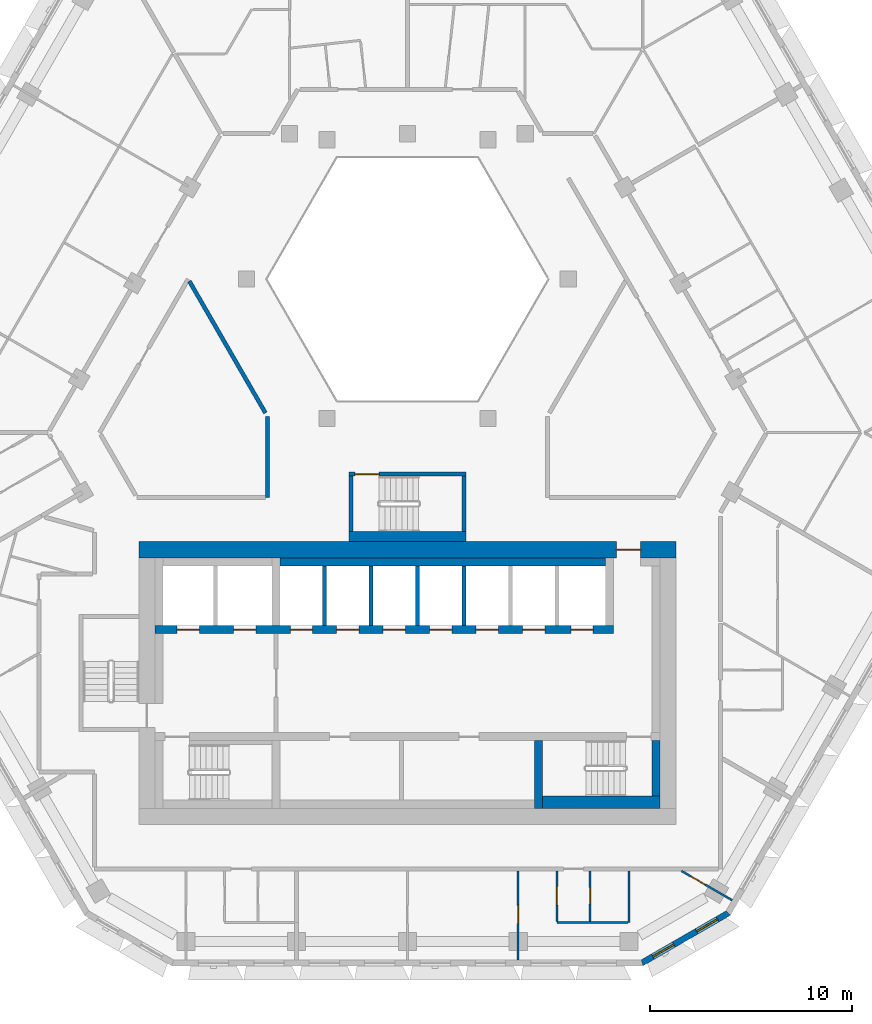
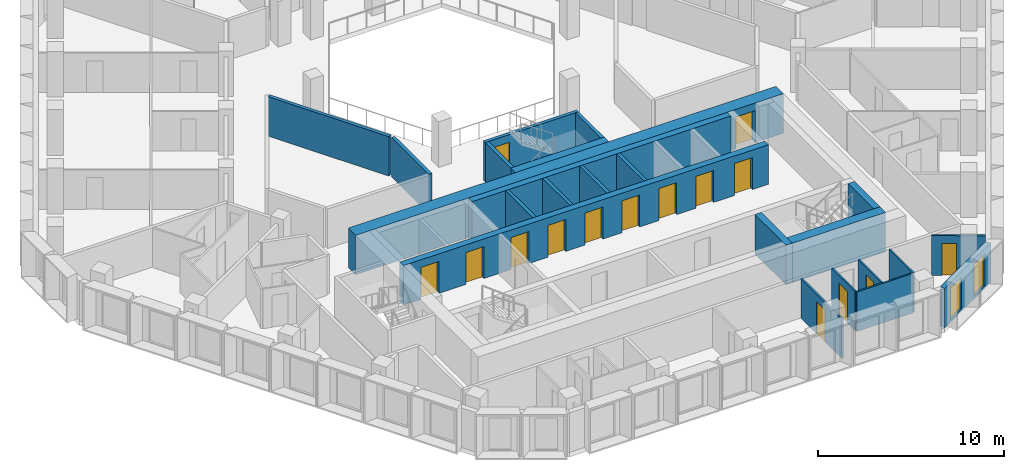
# One storey, part 5 of 17: 23 walls, 15 doors, 2 windows, 17 openings.
"""IFC4 building model written with IfcOpenShell, lengths in metres."""

from ifc_helpers import new_model, si_unit, direction, frame, frame_2d, origin, place, context, subcontext, project, spatial, polyline, rectangle, outline, extrude, material, layer, layer_set, type_object, element, fill, save


model = new_model("IFC4")

# Units and contexts
model_context = context("Model", 3, precision=1e-05, world=origin(), true_north=direction((0.0, 1.0)))
body_context = subcontext(model_context, "Body", "Model", "MODEL_VIEW")
ifc_project = project(units=[si_unit("LENGTHUNIT", "METRE"), si_unit("AREAUNIT", "SQUARE_METRE"), si_unit("VOLUMEUNIT", "CUBIC_METRE"), si_unit("PLANEANGLEUNIT", "RADIAN"), si_unit("MASSUNIT", "GRAM", prefix="KILO")], contexts=[model_context])

# Site, building, storey
site_placement = place(None, origin())
site = spatial("IfcSite", under=ifc_project, at=site_placement, CompositionType="ELEMENT")
building_placement = place(site_placement, origin())
building = spatial("IfcBuilding", under=site, at=building_placement, Name="Beryl Residences", CompositionType="ELEMENT")
storey_placement = place(building_placement, frame((0.0, 0.0, 150.60009765625)))
storey = spatial("IfcBuildingStorey", under=building, at=storey_placement, Name="L46", CompositionType="ELEMENT", Elevation=150.60009765625)

# Wall, openings, windows
ifc_material_1 = material(Name="Composite metal panel with mineral wool insulation")
ifc_layer_1 = layer(ifc_material_1, 0.300048828125)
ifc_layer_set_1 = layer_set([ifc_layer_1], Name="ES1 pale metal composite panel wall 300 mm")
wall_type_1 = type_object("IfcWallType", Name="ES1 pale metal composite panel wall 300 mm", PredefinedType="SOLIDWALL", material=ifc_layer_set_1)
wall_1_placement = place(storey_placement, frame((11.5869140625, -25.8701171875, 0.0), z_axis=(0.0, 0.0, 1.0), x_axis=(0.866022959057, 0.500004234368, 0.0)))
wall_1 = element("IfcWall", 1, at=wall_1_placement, inside=storey, type_object=wall_type_1, Name="ES1 external wall L46 S-SE", PredefinedType="SOLIDWALL", context=body_context, shape_type="SweptSolid", body=[
    extrude(outline(polyline([(0.0, -0.14990234375), (5.0, -0.14990234375), (4.919677734375, 0.14990234375), (0.080322265625, 0.14990234375), (0.0, -0.14990234375)])), origin(), (0.0, 0.0, 1.0), 2.599853515625),
])
opening_1_placement = place(wall_1_placement, frame((0.64990234375, 0.0, 0.14990234375)))
opening_1 = element("IfcOpeningElement", 2, at=opening_1_placement, cuts=wall_1, Name="Opening W2", PredefinedType="OPENING", context=body_context, shape_type="SweptSolid", body=[
    extrude(rectangle(XDim=1.199951171875, YDim=2.10009765625, at=frame_2d((0.60009765625, 1.050048828125))), frame((0.0, 0.159912109375, 0.0), z_axis=(0.0, -1.0, 0.0), x_axis=(1.0, 0.0, 0.0)), (0.0, 0.0, 1.0), 0.320068359375),
])
opening_2_placement = place(wall_1_placement, frame((3.14892578125, 0.0, 0.14990234375)))
opening_2 = element("IfcOpeningElement", 3, at=opening_2_placement, cuts=wall_1, Name="Opening W2", PredefinedType="OPENING", context=body_context, shape_type="SweptSolid", body=[
    extrude(rectangle(XDim=1.199951171875, YDim=2.10009765625, at=frame_2d((0.60009765625, 1.050048828125))), frame((0.0, 0.159912109375, 0.0), z_axis=(0.0, -1.0, 0.0), x_axis=(1.0, 0.0, 0.0)), (0.0, 0.0, 1.0), 0.320068359375),
])
ifc_material_2 = material(Name="Aluminium and clear glass", Category="aluminium")
window_type = type_object("IfcWindowType", Name="W2 chamfer window 1200 x 2100 mm", PartitioningType="SINGLE_PANEL", PredefinedType="WINDOW", material=ifc_material_2)
window_1_placement = place(opening_1_placement, origin())
window_1 = element("IfcWindow", 4, at=window_1_placement, inside=storey, type_object=window_type, Name="W2 window L46 S-SE 1", OverallHeight=2.10009765625, OverallWidth=1.199951171875, PartitioningType="SINGLE_PANEL", PredefinedType="WINDOW", context=body_context, shape_type="SweptSolid", body=[
    extrude(rectangle(XDim=1.199951171875, YDim=2.10009765625, at=frame_2d((0.60009765625, 1.050048828125))), frame((0.0, 0.030029296875, 0.0), z_axis=(0.0, -1.0, 0.0), x_axis=(1.0, 0.0, 0.0)), (0.0, 0.0, 1.0), 0.06005859375),
])
fill(opening_1, window_1)
window_2_placement = place(opening_2_placement, origin())
window_2 = element("IfcWindow", 5, at=window_2_placement, inside=storey, type_object=window_type, Name="W2 window L46 S-SE 2", OverallHeight=2.10009765625, OverallWidth=1.199951171875, PartitioningType="SINGLE_PANEL", PredefinedType="WINDOW", context=body_context, shape_type="SweptSolid", body=[
    extrude(rectangle(XDim=1.199951171875, YDim=2.10009765625, at=frame_2d((0.60009765625, 1.050048828125))), frame((0.0, 0.030029296875, 0.0), z_axis=(0.0, -1.0, 0.0), x_axis=(1.0, 0.0, 0.0)), (0.0, 0.0, 1.0), 0.06005859375),
])
fill(opening_2, window_2)

# Wall, opening, door
ifc_material_3 = material(Name="Gypsum board partition on steel studs", Category="steel")
ifc_layer_2 = layer(ifc_material_3, 0.10009765625)
ifc_layer_set_2 = layer_set([ifc_layer_2], Name="PT1 partition 100 mm gypsum board on steel studs")
wall_type_2 = type_object("IfcWallType", Name="PT1 partition 100 mm gypsum board on steel studs", PredefinedType="PARTITIONING", material=ifc_layer_set_2)
wall_2_placement = place(storey_placement, frame((7.406005859375, -21.300048828125, 0.0), z_axis=(0.0, 0.0, 1.0), x_axis=(0.0, -1.0, 0.0)))
wall_2 = element("IfcWall", 6, at=wall_2_placement, inside=storey, type_object=wall_type_2, Name="Wall PT1 L46 009", PredefinedType="PARTITIONING", context=body_context, shape_type="SweptSolid", body=[
    extrude(rectangle(XDim=2.509033203125, YDim=0.10009765625, at=frame_2d((1.25439453125, 0.0))), origin(), (0.0, 0.0, 1.0), 2.599853515625),
])
opening_3_placement = place(wall_2_placement, frame((0.780029296875, 0.0, 0.0)))
opening_3 = element("IfcOpeningElement", 7, at=opening_3_placement, cuts=wall_2, Name="Opening D1110", PredefinedType="OPENING", context=body_context, shape_type="SweptSolid", body=[
    extrude(rectangle(XDim=0.89990234375, YDim=2.10009765625, at=frame_2d((0.449951171875, 1.050048828125))), frame((0.0, 0.06005859375, 0.0), z_axis=(0.0, -1.0, 0.0), x_axis=(1.0, 0.0, 0.0)), (0.0, 0.0, 1.0), 0.1201171875),
])
ifc_material_4 = material(Name="Timber door leaf", Category="wood")
door_type_1 = type_object("IfcDoorType", Name="D2 room door 900 x 2100 mm", OperationType="SINGLE_SWING_LEFT", PredefinedType="DOOR", material=ifc_material_4)
door_1_placement = place(opening_3_placement, origin())
door_1 = element("IfcDoor", 8, at=door_1_placement, inside=storey, type_object=door_type_1, Name="Door D1110 L46 001", OperationType="SINGLE_SWING_RIGHT", OverallHeight=2.10009765625, OverallWidth=0.89990234375, PredefinedType="DOOR", context=body_context, shape_type="SweptSolid", body=[
    extrude(rectangle(XDim=0.89990234375, YDim=2.10009765625, at=frame_2d((0.449951171875, 1.050048828125))), frame((0.0, 0.02490234375, 0.0), z_axis=(0.0, -1.0, 0.0), x_axis=(1.0, 0.0, 0.0)), (0.0, 0.0, 1.0), 0.050048828125),
])
fill(opening_3, door_1)

wall_3_placement = place(storey_placement, frame((13.568115234375, -21.300048828125, 0.0), z_axis=(0.0, 0.0, 1.0), x_axis=(0.865885342641, -0.500242514586, 0.0)))
wall_3 = element("IfcWall", 9, at=wall_3_placement, inside=storey, type_object=wall_type_2, Name="Wall PT1 L46 014", PredefinedType="PARTITIONING", context=body_context, shape_type="SweptSolid", body=[
    extrude(rectangle(XDim=2.8984375, YDim=0.10009765625, at=frame_2d((1.44921875, 0.0))), origin(), (0.0, 0.0, 1.0), 2.599853515625),
])
opening_4_placement = place(wall_3_placement, frame((0.550048828125, 0.0, 0.0)))
opening_4 = element("IfcOpeningElement", 10, at=opening_4_placement, cuts=wall_3, Name="Opening D1113", PredefinedType="OPENING", context=body_context, shape_type="SweptSolid", body=[
    extrude(rectangle(XDim=0.800048828125, YDim=2.10009765625, at=frame_2d((0.39990234375, 1.050048828125))), frame((0.0, 0.06005859375, 0.0), z_axis=(0.0, -1.0, 0.0), x_axis=(1.0, 0.0, 0.0)), (0.0, 0.0, 1.0), 0.1201171875),
])
ifc_material_5 = material(Name="Timber door leaf", Category="wood")
door_type_2 = type_object("IfcDoorType", Name="D13 room door 800 x 2100 mm", OperationType="SINGLE_SWING_LEFT", PredefinedType="DOOR", material=ifc_material_5)
door_2_placement = place(opening_4_placement, origin())
door_2 = element("IfcDoor", 11, at=door_2_placement, inside=storey, type_object=door_type_2, Name="Door D1113 L46 001", OperationType="SINGLE_SWING_LEFT", OverallHeight=2.10009765625, OverallWidth=0.800048828125, PredefinedType="DOOR", context=body_context, shape_type="SweptSolid", body=[
    extrude(rectangle(XDim=0.800048828125, YDim=2.10009765625, at=frame_2d((0.39990234375, 1.050048828125))), frame((0.0, 0.02490234375, 0.0), z_axis=(0.0, -1.0, 0.0), x_axis=(1.0, 0.0, 0.0)), (0.0, 0.0, 1.0), 0.050048828125),
])
fill(opening_4, door_2)

# Wall
wall_4_placement = place(storey_placement, frame((7.406982421875, -23.860107421875, 0.0), z_axis=(0.0, 0.0, 1.0), x_axis=(1.0, 0.0, 0.0)))
element("IfcWall", 12, at=wall_4_placement, inside=storey, type_object=wall_type_2, Name="Wall PT1 L46 022", PredefinedType="PARTITIONING", context=body_context, shape_type="SweptSolid", body=[
    extrude(rectangle(XDim=3.512939453125, YDim=0.10009765625, at=frame_2d((1.75634765625, 0.0))), origin(), (0.0, 0.0, 1.0), 2.599853515625),
])

# Wall, opening, door
wall_5_placement = place(storey_placement, frame((5.486083984375, -25.699951171875, 0.0), z_axis=(0.0, 0.0, 1.0), x_axis=(0.0, 1.0, 0.0)))
wall_5 = element("IfcWall", 13, at=wall_5_placement, inside=storey, type_object=wall_type_2, Name="Wall PT1 L46 038", PredefinedType="PARTITIONING", context=body_context, shape_type="SweptSolid", body=[
    extrude(rectangle(XDim=4.39990234375, YDim=0.10009765625, at=frame_2d((2.199951171875, 0.0))), origin(), (0.0, 0.0, 1.0), 2.599853515625),
])
opening_5_placement = place(wall_5_placement, frame((1.800048828125, 0.0, 0.0)))
opening_5 = element("IfcOpeningElement", 14, at=opening_5_placement, cuts=wall_5, Name="Opening D1112", PredefinedType="OPENING", context=body_context, shape_type="SweptSolid", body=[
    extrude(rectangle(XDim=0.89990234375, YDim=2.10009765625, at=frame_2d((0.449951171875, 1.050048828125))), frame((0.0, 0.06005859375, 0.0), z_axis=(0.0, -1.0, 0.0), x_axis=(1.0, 0.0, 0.0)), (0.0, 0.0, 1.0), 0.1201171875),
])
door_3_placement = place(opening_5_placement, origin())
door_3 = element("IfcDoor", 15, at=door_3_placement, inside=storey, type_object=door_type_1, Name="Door D1112 L46 001", OperationType="SINGLE_SWING_RIGHT", OverallHeight=2.10009765625, OverallWidth=0.89990234375, PredefinedType="DOOR", context=body_context, shape_type="SweptSolid", body=[
    extrude(rectangle(XDim=0.89990234375, YDim=2.10009765625, at=frame_2d((0.449951171875, 1.050048828125))), frame((0.0, 0.02490234375, 0.0), z_axis=(0.0, -1.0, 0.0), x_axis=(1.0, 0.0, 0.0)), (0.0, 0.0, 1.0), 0.050048828125),
])
fill(opening_5, door_3)

wall_6_placement = place(storey_placement, frame((9.051025390625, -23.81005859375, 0.0), z_axis=(0.0, 0.0, 1.0), x_axis=(0.0, 1.0, 0.0)))
wall_6 = element("IfcWall", 16, at=wall_6_placement, inside=storey, type_object=wall_type_2, Name="Wall PT1 L46 040", PredefinedType="PARTITIONING", context=body_context, shape_type="SweptSolid", body=[
    extrude(rectangle(XDim=2.510009765625, YDim=0.10009765625, at=frame_2d((1.2548828125, 0.0))), origin(), (0.0, 0.0, 1.0), 2.599853515625),
])
opening_6_placement = place(wall_6_placement, frame((0.8798828125, 0.0, 0.0)))
opening_6 = element("IfcOpeningElement", 17, at=opening_6_placement, cuts=wall_6, Name="Opening D1111", PredefinedType="OPENING", context=body_context, shape_type="SweptSolid", body=[
    extrude(rectangle(XDim=0.800048828125, YDim=2.10009765625, at=frame_2d((0.39990234375, 1.050048828125))), frame((0.0, 0.06005859375, 0.0), z_axis=(0.0, -1.0, 0.0), x_axis=(1.0, 0.0, 0.0)), (0.0, 0.0, 1.0), 0.1201171875),
])
ifc_material_6 = material(Name="Timber door leaf", Category="wood")
door_type_3 = type_object("IfcDoorType", Name="D3 bathroom door 800 x 2100 mm", OperationType="SINGLE_SWING_LEFT", PredefinedType="DOOR", material=ifc_material_6)
door_4_placement = place(opening_6_placement, origin())
door_4 = element("IfcDoor", 18, at=door_4_placement, inside=storey, type_object=door_type_3, Name="Door D1111 L46 001", OperationType="SINGLE_SWING_LEFT", OverallHeight=2.10009765625, OverallWidth=0.800048828125, PredefinedType="DOOR", context=body_context, shape_type="SweptSolid", body=[
    extrude(rectangle(XDim=0.800048828125, YDim=2.10009765625, at=frame_2d((0.39990234375, 1.050048828125))), frame((0.0, 0.02490234375, 0.0), z_axis=(0.0, -1.0, 0.0), x_axis=(1.0, 0.0, 0.0)), (0.0, 0.0, 1.0), 0.050048828125),
])
fill(opening_6, door_4)

# Walls
wall_7_placement = place(storey_placement, frame((10.970947265625, -23.85888671875, 0.0), z_axis=(0.0, 0.0, 1.0), x_axis=(0.0, 1.0, 0.0)))
element("IfcWall", 19, at=wall_7_placement, inside=storey, type_object=wall_type_2, Name="Wall PT1 L46 041", PredefinedType="PARTITIONING", context=body_context, shape_type="SweptSolid", body=[
    extrude(rectangle(XDim=2.558837890625, YDim=0.10009765625, at=frame_2d((1.279296875, 0.0))), origin(), (0.0, 0.0, 1.0), 2.599853515625),
])
ifc_material_7 = material(Name="Double stud gypsum board wall")
ifc_layer_3 = layer(ifc_material_7, 0.199951171875)
ifc_layer_set_3 = layer_set([ifc_layer_3], Name="PT4 corridor wall 200 mm double stud")
wall_type_3 = type_object("IfcWallType", Name="PT4 corridor wall 200 mm double stud", PredefinedType="PARTITIONING", material=ifc_layer_set_3)
wall_8_placement = place(storey_placement, frame((-10.7958984375, 7.89990234375, 0.0), z_axis=(0.0, 0.0, 1.0), x_axis=(0.499954271211, -0.866051803703, 0.0)))
element("IfcWall", 20, at=wall_8_placement, inside=storey, type_object=wall_type_3, Name="Wall PT4 L46 001", PredefinedType="PARTITIONING", context=body_context, shape_type="SweptSolid", body=[
    extrude(rectangle(XDim=7.536376953125, YDim=0.199951171875, at=frame_2d((3.76806640625, 0.0))), origin(), (0.0, 0.0, 1.0), 2.599853515625),
])
wall_9_placement = place(storey_placement, frame((-6.927978515625, -2.800048828125, 0.0), z_axis=(0.0, 0.0, 1.0), x_axis=(0.0, 1.0, 0.0)))
element("IfcWall", 21, at=wall_9_placement, inside=storey, type_object=wall_type_3, Name="Wall PT4 L46 026", PredefinedType="PARTITIONING", context=body_context, shape_type="SweptSolid", body=[
    extrude(rectangle(XDim=4.0, YDim=0.199951171875, at=frame_2d((2.0, 0.0))), origin(), (0.0, 0.0, 1.0), 2.599853515625),
])

# Wall, opening, door
ifc_material_8 = material(Name="Concrete C40/50", Category="concrete")
ifc_layer_4 = layer(ifc_material_8, 0.199951171875)
ifc_layer_set_4 = layer_set([ifc_layer_4], Name="PT5 stair enclosure wall 200 mm reinforced concrete C40/50")
wall_type_4 = type_object("IfcWallType", Name="PT5 stair enclosure wall 200 mm reinforced concrete C40/50", PredefinedType="SOLIDWALL", material=ifc_layer_set_4)
wall_10_placement = place(storey_placement, frame((-2.89990234375, -1.64990234375, 0.0), z_axis=(0.0, 0.0, 1.0), x_axis=(1.0, 0.0, 0.0)))
wall_10 = element("IfcWall", 22, at=wall_10_placement, inside=storey, type_object=wall_type_4, Name="Wall PT5 L46 001", PredefinedType="SOLIDWALL", context=body_context, shape_type="SweptSolid", body=[
    extrude(rectangle(XDim=5.7998046875, YDim=0.199951171875, at=frame_2d((2.89990234375, 0.0))), origin(), (0.0, 0.0, 1.0), 2.599853515625),
])
opening_7_placement = place(wall_10_placement, frame((0.300048828125, 0.0, 0.0)))
opening_7 = element("IfcOpeningElement", 23, at=opening_7_placement, cuts=wall_10, Name="Opening DS04", PredefinedType="OPENING", context=body_context, shape_type="SweptSolid", body=[
    extrude(rectangle(XDim=1.199951171875, YDim=2.10009765625, at=frame_2d((0.60009765625, 1.050048828125))), frame((0.0, 0.10986328125, 0.0), z_axis=(0.0, -1.0, 0.0), x_axis=(1.0, 0.0, 0.0)), (0.0, 0.0, 1.0), 0.219970703125),
])
ifc_material_9 = material(Name="Steel door leaf in steel frame", Category="steel")
door_type_4 = type_object("IfcDoorType", Name="D4 stair door 1200 x 2100 mm", OperationType="SINGLE_SWING_LEFT", PredefinedType="DOOR", material=ifc_material_9)
door_5_placement = place(opening_7_placement, origin())
door_5 = element("IfcDoor", 24, at=door_5_placement, inside=storey, type_object=door_type_4, Name="Door DS04 L46 001", OperationType="SINGLE_SWING_LEFT", OverallHeight=2.10009765625, OverallWidth=1.199951171875, PredefinedType="DOOR", context=body_context, shape_type="SweptSolid", body=[
    extrude(rectangle(XDim=1.199951171875, YDim=2.10009765625, at=frame_2d((0.60009765625, 1.050048828125))), frame((0.0, 0.02490234375, 0.0), z_axis=(0.0, -1.0, 0.0), x_axis=(1.0, 0.0, 0.0)), (0.0, 0.0, 1.0), 0.050048828125),
])
fill(opening_7, door_5)

# Walls
for number, where, z_axis, x_axis, name in (
    (25, (-2.800048828125, -4.5, 0.0), (0.0, 0.0, 1.0), (0.0, 1.0, 0.0), "Wall PT5 L46 002"),
    (26, (2.800048828125, -4.5, 0.0), (0.0, 0.0, 1.0), (0.0, 1.0, 0.0), "Wall PT5 L46 003"),
):
    element("IfcWall", number, at=place(storey_placement, frame(where, z_axis=z_axis, x_axis=x_axis)), inside=storey, type_object=wall_type_4, Name=name, PredefinedType="SOLIDWALL", context=body_context, shape_type="SweptSolid", body=[
        extrude(rectangle(XDim=2.75, YDim=0.199951171875, at=frame_2d((1.375, 0.0))), origin(), (0.0, 0.0, 1.0), 2.599853515625),
    ])
ifc_material_10 = material(Name="Concrete C40/50", Category="concrete")
ifc_layer_5 = layer(ifc_material_10, 0.39990234375)
ifc_layer_set_5 = layer_set([ifc_layer_5], Name="PT5-400 stair enclosure wall 400 mm")
wall_type_5 = type_object("IfcWallType", Name="PT5-400 stair enclosure wall 400 mm", PredefinedType="SOLIDWALL", material=ifc_layer_set_5)
wall_11_placement = place(storey_placement, frame((12.300048828125, -17.60009765625, 0.0), z_axis=(0.0, 0.0, 1.0), x_axis=(0.0, 1.0, 0.0)))
element("IfcWall", 27, at=wall_11_placement, inside=storey, type_object=wall_type_5, Name="Stair wall 23", PredefinedType="SOLIDWALL", context=body_context, shape_type="SweptSolid", body=[
    extrude(rectangle(XDim=2.75, YDim=0.39990234375, at=frame_2d((1.375, 0.0))), origin(), (0.0, 0.0, 1.0), 2.599853515625),
])
ifc_material_11 = material(Name="Concrete C40/50", Category="concrete")
ifc_layer_6 = layer(ifc_material_11, 0.5)
ifc_layer_set_6 = layer_set([ifc_layer_6], Name="PT5-500 stair enclosure wall 500 mm")
wall_type_6 = type_object("IfcWallType", Name="PT5-500 stair enclosure wall 500 mm", PredefinedType="SOLIDWALL", material=ifc_layer_set_6)
wall_12_placement = place(storey_placement, frame((-2.89990234375, -4.75, 0.0), z_axis=(0.0, 0.0, 1.0), x_axis=(1.0, 0.0, 0.0)))
element("IfcWall", 28, at=wall_12_placement, inside=storey, type_object=wall_type_6, Name="Wall PT5-500 L46 001", PredefinedType="SOLIDWALL", context=body_context, shape_type="SweptSolid", body=[
    extrude(rectangle(XDim=5.7998046875, YDim=0.5, at=frame_2d((2.89990234375, 0.0))), origin(), (0.0, 0.0, 1.0), 2.599853515625),
])
ifc_material_12 = material(Name="Concrete C40/50", Category="concrete")
ifc_layer_7 = layer(ifc_material_12, 0.60009765625)
ifc_layer_set_7 = layer_set([ifc_layer_7], Name="PT5-600 stair enclosure wall 600 mm")
wall_type_7 = type_object("IfcWallType", Name="PT5-600 stair enclosure wall 600 mm", PredefinedType="SOLIDWALL", material=ifc_layer_set_7)
wall_13_placement = place(storey_placement, frame((6.699951171875, -17.89990234375, 0.0), z_axis=(0.0, 0.0, 1.0), x_axis=(1.0, 0.0, 0.0)))
element("IfcWall", 29, at=wall_13_placement, inside=storey, type_object=wall_type_7, Name="Stair wall 20", PredefinedType="SOLIDWALL", context=body_context, shape_type="SweptSolid", body=[
    extrude(rectangle(XDim=5.800048828125, YDim=0.60009765625, at=frame_2d((2.89990234375, 0.0))), origin(), (0.0, 0.0, 1.0), 2.599853515625),
])
ifc_material_13 = material(Name="Concrete C40/50", Category="concrete")
ifc_layer_8 = layer(ifc_material_13, 0.199951171875)
ifc_layer_set_8 = layer_set([ifc_layer_8], Name="PT6 lift shaft wall 200 mm reinforced concrete C40/50")
wall_type_8 = type_object("IfcWallType", Name="PT6 lift shaft wall 200 mm reinforced concrete C40/50", PredefinedType="SOLIDWALL", material=ifc_layer_set_8)
for number, where, z_axis, x_axis, name in (
    (30, (-4.10009765625, -9.14990234375, 0.0), (0.0, 0.0, 1.0), (0.0, 1.0, 0.0), "Lift shaft wall 14"),
    (31, (-1.800048828125, -9.14990234375, 0.0), (0.0, 0.0, 1.0), (0.0, 1.0, 0.0), "Lift shaft wall 15"),
    (32, (0.5, -9.14990234375, 0.0), (0.0, 0.0, 1.0), (0.0, 1.0, 0.0), "Lift shaft wall 17"),
    (33, (2.800048828125, -9.14990234375, 0.0), (0.0, 0.0, 1.0), (0.0, 1.0, 0.0), "Lift shaft wall 18"),
):
    element("IfcWall", number, at=place(storey_placement, frame(where, z_axis=z_axis, x_axis=x_axis)), inside=storey, type_object=wall_type_8, Name=name, PredefinedType="SOLIDWALL", context=body_context, shape_type="SweptSolid", body=[
        extrude(rectangle(XDim=2.949951171875, YDim=0.199951171875, at=frame_2d((1.47509765625, 0.0))), origin(), (0.0, 0.0, 1.0), 2.599853515625),
    ])
ifc_material_14 = material(Name="Concrete C40/50", Category="concrete")
ifc_layer_9 = layer(ifc_material_14, 0.39990234375)
ifc_layer_set_9 = layer_set([ifc_layer_9], Name="PT6-400 lift shaft wall 400 mm")
wall_type_9 = type_object("IfcWallType", Name="PT6-400 lift shaft wall 400 mm", PredefinedType="SOLIDWALL", material=ifc_layer_set_9)
wall_14_placement = place(storey_placement, frame((-6.300048828125, -6.0, 0.0), z_axis=(0.0, 0.0, 1.0), x_axis=(1.0, 0.0, 0.0)))
element("IfcWall", 34, at=wall_14_placement, inside=storey, type_object=wall_type_9, Name="Lift shaft wall 13", PredefinedType="SOLIDWALL", context=body_context, shape_type="SweptSolid", body=[
    extrude(rectangle(XDim=16.10009765625, YDim=0.39990234375, at=frame_2d((8.050048828125, 0.0))), origin(), (0.0, 0.0, 1.0), 2.599853515625),
])

# Wall, opening, door
ifc_material_15 = material(Name="Concrete C60/75", Category="concrete")
ifc_layer_10 = layer(ifc_material_15, 0.800048828125)
ifc_layer_set_10 = layer_set([ifc_layer_10], Name="SW3 core outer wall 800 mm C60/75")
wall_type_10 = type_object("IfcWallType", Name="SW3 core outer wall 800 mm C60/75", PredefinedType="SHEAR", material=ifc_layer_set_10)
wall_15_placement = place(storey_placement, frame((-13.300048828125, -5.39990234375, 0.0), z_axis=(0.0, 0.0, 1.0), x_axis=(1.0, 0.0, 0.0)))
wall_15 = element("IfcWall", 35, at=wall_15_placement, inside=storey, type_object=wall_type_10, Name="Core wall N L46", PredefinedType="SHEAR", context=body_context, shape_type="SweptSolid", body=[
    extrude(rectangle(XDim=26.60009765625, YDim=0.800048828125, at=frame_2d((13.300048828125, 0.0))), origin(), (0.0, 0.0, 1.0), 2.599853515625),
])
opening_8_placement = place(wall_15_placement, frame((23.64990234375, 0.0, 0.0)))
opening_8 = element("IfcOpeningElement", 36, at=opening_8_placement, cuts=wall_15, Name="Opening FD-NORTH", PredefinedType="OPENING", context=body_context, shape_type="SweptSolid", body=[
    extrude(rectangle(XDim=1.199951171875, YDim=2.10009765625, at=frame_2d((0.60009765625, 1.050048828125))), frame((0.0, 0.409912109375, 0.0), z_axis=(0.0, -1.0, 0.0), x_axis=(1.0, 0.0, 0.0)), (0.0, 0.0, 1.0), 0.820068359375),
])
ifc_material_16 = material(Name="Steel door leaf in steel frame", Category="steel")
door_type_5 = type_object("IfcDoorType", Name="D22 lobby door 1200 x 2100 mm", OperationType="DOUBLE_DOOR_SINGLE_SWING", PredefinedType="DOOR", material=ifc_material_16)
door_6_placement = place(opening_8_placement, origin())
door_6 = element("IfcDoor", 37, at=door_6_placement, inside=storey, type_object=door_type_5, Name="Door FD-NORTH L46 001", OperationType="DOUBLE_DOOR_SINGLE_SWING", OverallHeight=2.10009765625, OverallWidth=1.199951171875, PredefinedType="DOOR", context=body_context, shape_type="SweptSolid", body=[
    extrude(rectangle(XDim=1.199951171875, YDim=2.10009765625, at=frame_2d((0.60009765625, 1.050048828125))), frame((0.0, 0.02490234375, 0.0), z_axis=(0.0, -1.0, 0.0), x_axis=(1.0, 0.0, 0.0)), (0.0, 0.0, 1.0), 0.050048828125),
])
fill(opening_8, door_6)

# Wall, openings, doors
ifc_material_17 = material(Name="Concrete C60/75", Category="concrete")
ifc_layer_11 = layer(ifc_material_17, 0.39990234375)
ifc_layer_set_11 = layer_set([ifc_layer_11], Name="SW8 core internal wall 400 mm C60/75")
wall_type_11 = type_object("IfcWallType", Name="SW8 core internal wall 400 mm C60/75", PredefinedType="SHEAR", material=ifc_layer_set_11)
wall_16_placement = place(storey_placement, frame((-12.5, -9.35009765625, 0.0), z_axis=(0.0, 0.0, 1.0), x_axis=(1.0, 0.0, 0.0)))
wall_16 = element("IfcWall", 38, at=wall_16_placement, inside=storey, type_object=wall_type_11, Name="Core wall SP2 L46", PredefinedType="SHEAR", context=body_context, shape_type="SweptSolid", body=[
    extrude(rectangle(XDim=22.699951171875, YDim=0.39990234375, at=frame_2d((11.35009765625, 0.0))), origin(), (0.0, 0.0, 1.0), 2.599853515625),
])
opening_9_placement = place(wall_16_placement, frame((1.10009765625, 0.0, 0.0)))
opening_9 = element("IfcOpeningElement", 39, at=opening_9_placement, cuts=wall_16, Name="Opening LD-FF1", PredefinedType="OPENING", context=body_context, shape_type="SweptSolid", body=[
    extrude(rectangle(XDim=1.10009765625, YDim=2.10009765625, at=frame_2d((0.550048828125, 1.050048828125))), frame((0.0, 0.2099609375, 0.0), z_axis=(0.0, -1.0, 0.0), x_axis=(1.0, 0.0, 0.0)), (0.0, 0.0, 1.0), 0.419921875),
])
opening_10_placement = place(wall_16_placement, frame((3.89990234375, 0.0, 0.0)))
opening_10 = element("IfcOpeningElement", 40, at=opening_10_placement, cuts=wall_16, Name="Opening LD-FF2", PredefinedType="OPENING", context=body_context, shape_type="SweptSolid", body=[
    extrude(rectangle(XDim=1.10009765625, YDim=2.10009765625, at=frame_2d((0.550048828125, 1.050048828125))), frame((0.0, 0.2099609375, 0.0), z_axis=(0.0, -1.0, 0.0), x_axis=(1.0, 0.0, 0.0)), (0.0, 0.0, 1.0), 0.419921875),
])
opening_11_placement = place(wall_16_placement, frame((6.699951171875, 0.0, 0.0)))
opening_11 = element("IfcOpeningElement", 41, at=opening_11_placement, cuts=wall_16, Name="Opening LD-HR1", PredefinedType="OPENING", context=body_context, shape_type="SweptSolid", body=[
    extrude(rectangle(XDim=1.10009765625, YDim=2.10009765625, at=frame_2d((0.550048828125, 1.050048828125))), frame((0.0, 0.2099609375, 0.0), z_axis=(0.0, -1.0, 0.0), x_axis=(1.0, 0.0, 0.0)), (0.0, 0.0, 1.0), 0.419921875),
])
opening_12_placement = place(wall_16_placement, frame((9.0, 0.0, 0.0)))
opening_12 = element("IfcOpeningElement", 42, at=opening_12_placement, cuts=wall_16, Name="Opening LD-HR2", PredefinedType="OPENING", context=body_context, shape_type="SweptSolid", body=[
    extrude(rectangle(XDim=1.10009765625, YDim=2.10009765625, at=frame_2d((0.550048828125, 1.050048828125))), frame((0.0, 0.2099609375, 0.0), z_axis=(0.0, -1.0, 0.0), x_axis=(1.0, 0.0, 0.0)), (0.0, 0.0, 1.0), 0.419921875),
])
opening_13_placement = place(wall_16_placement, frame((11.300048828125, 0.0, 0.0)))
opening_13 = element("IfcOpeningElement", 43, at=opening_13_placement, cuts=wall_16, Name="Opening LD-HR3", PredefinedType="OPENING", context=body_context, shape_type="SweptSolid", body=[
    extrude(rectangle(XDim=1.10009765625, YDim=2.10009765625, at=frame_2d((0.550048828125, 1.050048828125))), frame((0.0, 0.2099609375, 0.0), z_axis=(0.0, -1.0, 0.0), x_axis=(1.0, 0.0, 0.0)), (0.0, 0.0, 1.0), 0.419921875),
])
opening_14_placement = place(wall_16_placement, frame((13.60009765625, 0.0, 0.0)))
opening_14 = element("IfcOpeningElement", 44, at=opening_14_placement, cuts=wall_16, Name="Opening LD-HR4", PredefinedType="OPENING", context=body_context, shape_type="SweptSolid", body=[
    extrude(rectangle(XDim=1.10009765625, YDim=2.10009765625, at=frame_2d((0.550048828125, 1.050048828125))), frame((0.0, 0.2099609375, 0.0), z_axis=(0.0, -1.0, 0.0), x_axis=(1.0, 0.0, 0.0)), (0.0, 0.0, 1.0), 0.419921875),
])
opening_15_placement = place(wall_16_placement, frame((15.89990234375, 0.0, 0.0)))
opening_15 = element("IfcOpeningElement", 45, at=opening_15_placement, cuts=wall_16, Name="Opening LD-HR5", PredefinedType="OPENING", context=body_context, shape_type="SweptSolid", body=[
    extrude(rectangle(XDim=1.10009765625, YDim=2.10009765625, at=frame_2d((0.550048828125, 1.050048828125))), frame((0.0, 0.2099609375, 0.0), z_axis=(0.0, -1.0, 0.0), x_axis=(1.0, 0.0, 0.0)), (0.0, 0.0, 1.0), 0.419921875),
])
opening_16_placement = place(wall_16_placement, frame((18.199951171875, 0.0, 0.0)))
opening_16 = element("IfcOpeningElement", 46, at=opening_16_placement, cuts=wall_16, Name="Opening LD-HR6", PredefinedType="OPENING", context=body_context, shape_type="SweptSolid", body=[
    extrude(rectangle(XDim=1.10009765625, YDim=2.10009765625, at=frame_2d((0.550048828125, 1.050048828125))), frame((0.0, 0.2099609375, 0.0), z_axis=(0.0, -1.0, 0.0), x_axis=(1.0, 0.0, 0.0)), (0.0, 0.0, 1.0), 0.419921875),
])
opening_17_placement = place(wall_16_placement, frame((20.60009765625, 0.0, 0.0)))
opening_17 = element("IfcOpeningElement", 47, at=opening_17_placement, cuts=wall_16, Name="Opening LD-SL1", PredefinedType="OPENING", context=body_context, shape_type="SweptSolid", body=[
    extrude(rectangle(XDim=1.10009765625, YDim=2.10009765625, at=frame_2d((0.550048828125, 1.050048828125))), frame((0.0, 0.2099609375, 0.0), z_axis=(0.0, -1.0, 0.0), x_axis=(1.0, 0.0, 0.0)), (0.0, 0.0, 1.0), 0.419921875),
])
ifc_material_18 = material(Name="Stainless steel sliding door", Category="steel")
door_type_6 = type_object("IfcDoorType", Name="LD1 lift landing door 1100 x 2100 mm", OperationType="DOUBLE_DOOR_SLIDING", PredefinedType="DOOR", material=ifc_material_18)
door_7_placement = place(opening_9_placement, origin())
door_7 = element("IfcDoor", 48, at=door_7_placement, inside=storey, type_object=door_type_6, Name="Lift landing door FF1", OperationType="DOUBLE_DOOR_SLIDING", OverallHeight=2.10009765625, OverallWidth=1.10009765625, PredefinedType="DOOR", context=body_context, shape_type="SweptSolid", body=[
    extrude(rectangle(XDim=1.10009765625, YDim=2.10009765625, at=frame_2d((0.550048828125, 1.050048828125))), frame((0.0, 0.02490234375, 0.0), z_axis=(0.0, -1.0, 0.0), x_axis=(1.0, 0.0, 0.0)), (0.0, 0.0, 1.0), 0.050048828125),
])
fill(opening_9, door_7)
door_8_placement = place(opening_10_placement, origin())
door_8 = element("IfcDoor", 49, at=door_8_placement, inside=storey, type_object=door_type_6, Name="Lift landing door FF2", OperationType="DOUBLE_DOOR_SLIDING", OverallHeight=2.10009765625, OverallWidth=1.10009765625, PredefinedType="DOOR", context=body_context, shape_type="SweptSolid", body=[
    extrude(rectangle(XDim=1.10009765625, YDim=2.10009765625, at=frame_2d((0.550048828125, 1.050048828125))), frame((0.0, 0.02490234375, 0.0), z_axis=(0.0, -1.0, 0.0), x_axis=(1.0, 0.0, 0.0)), (0.0, 0.0, 1.0), 0.050048828125),
])
fill(opening_10, door_8)
door_9_placement = place(opening_11_placement, origin())
door_9 = element("IfcDoor", 50, at=door_9_placement, inside=storey, type_object=door_type_6, Name="Lift landing door HR1", OperationType="DOUBLE_DOOR_SLIDING", OverallHeight=2.10009765625, OverallWidth=1.10009765625, PredefinedType="DOOR", context=body_context, shape_type="SweptSolid", body=[
    extrude(rectangle(XDim=1.10009765625, YDim=2.10009765625, at=frame_2d((0.550048828125, 1.050048828125))), frame((0.0, 0.02490234375, 0.0), z_axis=(0.0, -1.0, 0.0), x_axis=(1.0, 0.0, 0.0)), (0.0, 0.0, 1.0), 0.050048828125),
])
fill(opening_11, door_9)
door_10_placement = place(opening_12_placement, origin())
door_10 = element("IfcDoor", 51, at=door_10_placement, inside=storey, type_object=door_type_6, Name="Lift landing door HR2", OperationType="DOUBLE_DOOR_SLIDING", OverallHeight=2.10009765625, OverallWidth=1.10009765625, PredefinedType="DOOR", context=body_context, shape_type="SweptSolid", body=[
    extrude(rectangle(XDim=1.10009765625, YDim=2.10009765625, at=frame_2d((0.550048828125, 1.050048828125))), frame((0.0, 0.02490234375, 0.0), z_axis=(0.0, -1.0, 0.0), x_axis=(1.0, 0.0, 0.0)), (0.0, 0.0, 1.0), 0.050048828125),
])
fill(opening_12, door_10)
door_11_placement = place(opening_13_placement, origin())
door_11 = element("IfcDoor", 52, at=door_11_placement, inside=storey, type_object=door_type_6, Name="Lift landing door HR3", OperationType="DOUBLE_DOOR_SLIDING", OverallHeight=2.10009765625, OverallWidth=1.10009765625, PredefinedType="DOOR", context=body_context, shape_type="SweptSolid", body=[
    extrude(rectangle(XDim=1.10009765625, YDim=2.10009765625, at=frame_2d((0.550048828125, 1.050048828125))), frame((0.0, 0.02490234375, 0.0), z_axis=(0.0, -1.0, 0.0), x_axis=(1.0, 0.0, 0.0)), (0.0, 0.0, 1.0), 0.050048828125),
])
fill(opening_13, door_11)
door_12_placement = place(opening_14_placement, origin())
door_12 = element("IfcDoor", 53, at=door_12_placement, inside=storey, type_object=door_type_6, Name="Lift landing door HR4", OperationType="DOUBLE_DOOR_SLIDING", OverallHeight=2.10009765625, OverallWidth=1.10009765625, PredefinedType="DOOR", context=body_context, shape_type="SweptSolid", body=[
    extrude(rectangle(XDim=1.10009765625, YDim=2.10009765625, at=frame_2d((0.550048828125, 1.050048828125))), frame((0.0, 0.02490234375, 0.0), z_axis=(0.0, -1.0, 0.0), x_axis=(1.0, 0.0, 0.0)), (0.0, 0.0, 1.0), 0.050048828125),
])
fill(opening_14, door_12)
door_13_placement = place(opening_15_placement, origin())
door_13 = element("IfcDoor", 54, at=door_13_placement, inside=storey, type_object=door_type_6, Name="Lift landing door HR5", OperationType="DOUBLE_DOOR_SLIDING", OverallHeight=2.10009765625, OverallWidth=1.10009765625, PredefinedType="DOOR", context=body_context, shape_type="SweptSolid", body=[
    extrude(rectangle(XDim=1.10009765625, YDim=2.10009765625, at=frame_2d((0.550048828125, 1.050048828125))), frame((0.0, 0.02490234375, 0.0), z_axis=(0.0, -1.0, 0.0), x_axis=(1.0, 0.0, 0.0)), (0.0, 0.0, 1.0), 0.050048828125),
])
fill(opening_15, door_13)
door_14_placement = place(opening_16_placement, origin())
door_14 = element("IfcDoor", 55, at=door_14_placement, inside=storey, type_object=door_type_6, Name="Lift landing door HR6", OperationType="DOUBLE_DOOR_SLIDING", OverallHeight=2.10009765625, OverallWidth=1.10009765625, PredefinedType="DOOR", context=body_context, shape_type="SweptSolid", body=[
    extrude(rectangle(XDim=1.10009765625, YDim=2.10009765625, at=frame_2d((0.550048828125, 1.050048828125))), frame((0.0, 0.02490234375, 0.0), z_axis=(0.0, -1.0, 0.0), x_axis=(1.0, 0.0, 0.0)), (0.0, 0.0, 1.0), 0.050048828125),
])
fill(opening_16, door_14)
door_15_placement = place(opening_17_placement, origin())
door_15 = element("IfcDoor", 56, at=door_15_placement, inside=storey, type_object=door_type_6, Name="Lift landing door SL1", OperationType="DOUBLE_DOOR_SLIDING", OverallHeight=2.10009765625, OverallWidth=1.10009765625, PredefinedType="DOOR", context=body_context, shape_type="SweptSolid", body=[
    extrude(rectangle(XDim=1.10009765625, YDim=2.10009765625, at=frame_2d((0.550048828125, 1.050048828125))), frame((0.0, 0.02490234375, 0.0), z_axis=(0.0, -1.0, 0.0), x_axis=(1.0, 0.0, 0.0)), (0.0, 0.0, 1.0), 0.050048828125),
])
fill(opening_17, door_15)

# Wall
wall_17_placement = place(storey_placement, frame((6.5, -18.199951171875, 0.0), z_axis=(0.0, 0.0, 1.0), x_axis=(0.0, 1.0, 0.0)))
element("IfcWall", 57, at=wall_17_placement, inside=storey, type_object=wall_type_11, Name="Core wall XS2 L46", PredefinedType="SHEAR", context=body_context, shape_type="SweptSolid", body=[
    extrude(rectangle(XDim=3.349853515625, YDim=0.39990234375, at=frame_2d((1.6748046875, 0.0))), origin(), (0.0, 0.0, 1.0), 2.599853515625),
])

save(model, "model.ifc")
